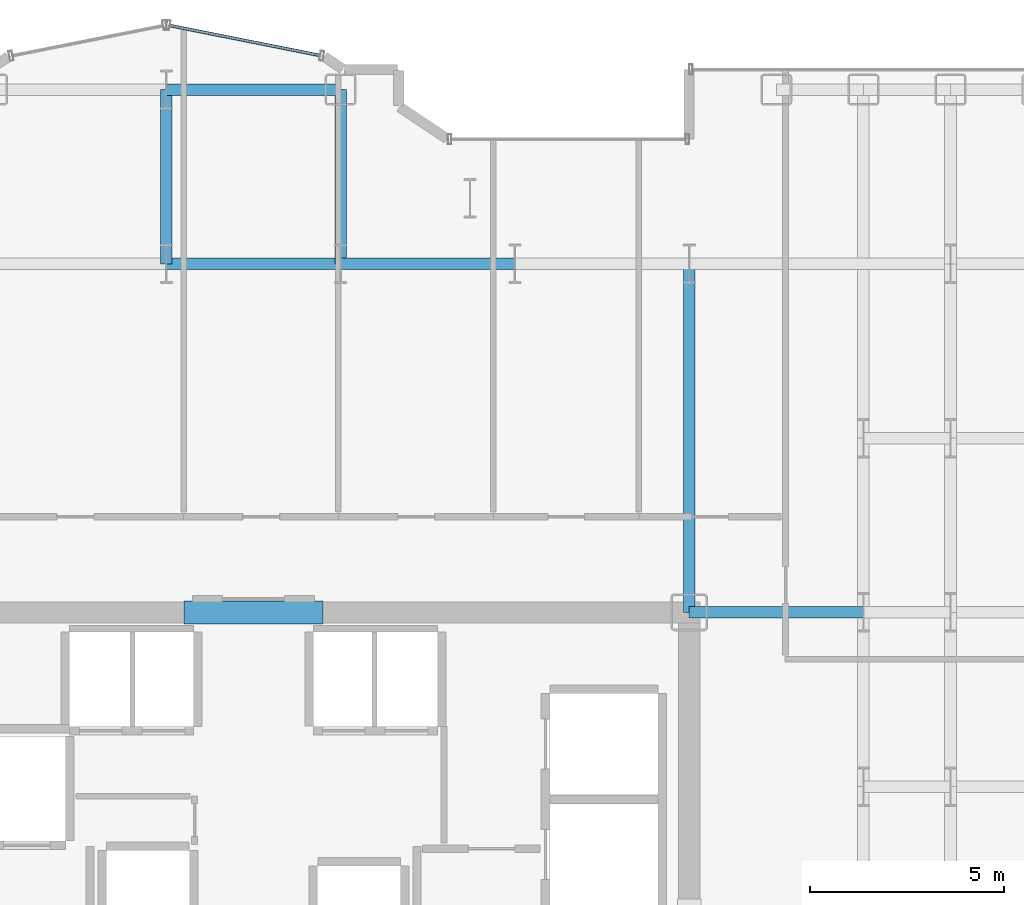
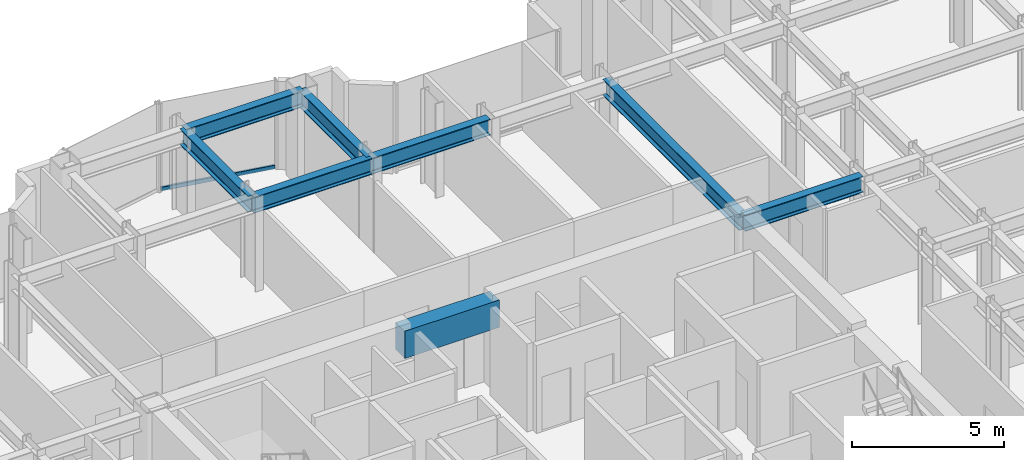
# One storey, part 11 of 26: 8 beams, 1 member, 1 element without a shape of its own.
"""IFC4 building model written with IfcOpenShell, lengths in metres."""

from ifc_helpers import new_model, si_unit, direction, frame, origin, origin_2d, place, context, subcontext, project, spatial, rectangle, hollow_rectangle, i_section, extrude, source, transform, mapped, material, layer, layer_set, material_profile, profile_set, type_object, element, aggregate, save


model = new_model("IFC4")

# Units and contexts
model_context = context("Model", 3, precision=1e-05, world=origin(), true_north=direction((0.0, 1.0)))
body_context = subcontext(model_context, "Body", "Model", "MODEL_VIEW")
ifc_project = project(units=[si_unit("LENGTHUNIT", "METRE"), si_unit("AREAUNIT", "SQUARE_METRE"), si_unit("VOLUMEUNIT", "CUBIC_METRE"), si_unit("PLANEANGLEUNIT", "RADIAN"), si_unit("MASSUNIT", "GRAM", prefix="KILO")], contexts=[model_context])

# Site, building, storey
site_placement = place(None, origin())
site = spatial("IfcSite", under=ifc_project, at=site_placement, CompositionType="ELEMENT")
building_placement = place(site_placement, origin())
building = spatial("IfcBuilding", under=site, at=building_placement, Name="Nefas-Gora Pilgrimage Tower", CompositionType="ELEMENT")
storey_placement = place(building_placement, frame((0.0, 0.0, 117.39990234375)))
storey = spatial("IfcBuildingStorey", under=building, at=storey_placement, Name="L28", CompositionType="ELEMENT", Elevation=117.39990234375)

# Beams
ifc_material_1 = material(Name="Concrete C60/75", Category="concrete")
ifc_material_profile_1 = material_profile(ifc_material_1, rectangle(XDim=0.60009765625, YDim=1.10009765625, at=origin_2d()), Name="RC 600x1100")
ifc_profile_set_1 = profile_set([ifc_material_profile_1], Name="Concrete C60/75")
beam_type_1 = type_object("IfcBeamType", Name="BM-LIN-RC1100", PredefinedType="LINTEL", material=ifc_profile_set_1)
shared_shape_1 = source(origin(), body_context, "Body", "SweptSolid", [
    extrude(rectangle(XDim=0.60009765625, YDim=1.10009765625, at=origin_2d()), origin(), (0.0, 0.0, 1.0), 3.60009765625),
])
beam_1_placement = place(storey_placement, frame((-1.800048828125, 9.0, 3.0), z_axis=(1.0, 0.0, 0.0), x_axis=(0.0, 1.0, 0.0)))
element("IfcBeam", 1, at=beam_1_placement, inside=storey, type_object=beam_type_1, Name="L28 Core Coupling Lintel Beam N", PredefinedType="LINTEL", context=body_context, shape_type="MappedRepresentation", body=[
    mapped(shared_shape_1, transform((0.0, 0.0, 0.0), x_axis=(1.0, 0.0, 0.0), y_axis=(0.0, 1.0, 0.0), z_axis=(0.0, 0.0, 1.0), scale=1.0)),
])
ifc_material_2 = material(Name="Steel S355", Category="steel")
ifc_material_profile_2 = material_profile(ifc_material_2, i_section(OverallWidth=0.300048828125, OverallDepth=0.64990234375, WebThickness=0.01611328125, FlangeThickness=0.031005859375, FilletRadius=0.027099609375, at=origin_2d()), Name="HEB 650")
ifc_profile_set_2 = profile_set([ifc_material_profile_2], Name="Steel S355")
beam_type_2 = type_object("IfcBeamType", Name="BM-GIR-HEB650", PredefinedType="BEAM", material=ifc_profile_set_2)
shared_shape_2 = source(origin(), body_context, "Body", "SweptSolid", [
    extrude(i_section(OverallWidth=0.300048828125, OverallDepth=0.64990234375, WebThickness=0.01611328125, FlangeThickness=0.031005859375, FilletRadius=0.027099609375, at=origin_2d()), origin(), (0.0, 0.0, 1.0), 9.0),
])
beam_2_placement = place(storey_placement, frame((11.25, 9.0, 3.22509765625), z_axis=(0.0, 1.0, 0.0), x_axis=(-1.0, 0.0, 0.0)))
element("IfcBeam", 2, at=beam_2_placement, inside=storey, type_object=beam_type_2, Name="L28 G-03 beam", PredefinedType="BEAM", context=body_context, shape_type="MappedRepresentation", body=[
    mapped(shared_shape_2, transform((0.0, 0.0, 0.0), x_axis=(1.0, 0.0, 0.0), y_axis=(0.0, 1.0, 0.0), z_axis=(0.0, 0.0, 1.0), scale=1.0)),
])
shared_shape_3 = source(origin(), body_context, "Body", "SweptSolid", [
    extrude(i_section(OverallWidth=0.300048828125, OverallDepth=0.64990234375, WebThickness=0.01611328125, FlangeThickness=0.031005859375, FilletRadius=0.027099609375, at=origin_2d()), origin(), (0.0, 0.0, 1.0), 4.5),
])
for number, where, z_axis, x_axis, name in (
    (3, (-2.25, 18.0, 3.22509765625), (0.0, 1.0, 0.0), (-1.0, 0.0, 0.0), "L28 G-03 beam"),
    (4, (-2.25, 18.0, 3.22509765625), (1.0, 0.0, 0.0), (0.0, 1.0, 0.0), "L28 G-03 beam"),
    (5, (-2.25, 22.5, 3.22509765625), (1.0, 0.0, 0.0), (0.0, 1.0, 0.0), "L28 G-03 beam"),
    (6, (2.25, 18.0, 3.22509765625), (0.0, 1.0, 0.0), (-1.0, 0.0, 0.0), "L28 G-03 beam"),
    (7, (2.25, 18.0, 3.22509765625), (1.0, 0.0, 0.0), (0.0, 1.0, 0.0), "L28 G-03 beam"),
    (8, (11.25, 9.0, 3.22509765625), (1.0, 0.0, 0.0), (0.0, 1.0, 0.0), "L28 G-03 beam"),
):
    element("IfcBeam", number, at=place(storey_placement, frame(where, z_axis=z_axis, x_axis=x_axis)), inside=storey, type_object=beam_type_2, Name=name, PredefinedType="BEAM", context=body_context, shape_type="MappedRepresentation", body=[
        mapped(shared_shape_3, transform((0.0, 0.0, 0.0), x_axis=(1.0, 0.0, 0.0), y_axis=(0.0, 1.0, 0.0), z_axis=(0.0, 0.0, 1.0), scale=1.0)),
    ])

# Curtain wall, member
ifc_material_3 = material(Name="Dark ceramic-fritted solar-control aluminium-glass curtain wall", Category="aluminium")
ifc_layer = layer(ifc_material_3, 0.219970703125)
ifc_layer_set = layer_set([ifc_layer], Name="Dark ceramic-fritted solar-control aluminium-glass curtain wall")
curtain_wall_type = type_object("IfcCurtainWallType", Name="CW-SYS-5", PredefinedType="NOTDEFINED", material=ifc_layer_set)
curtain_wall_placement = place(storey_placement, origin())
curtain_wall = element("IfcCurtainWall", 9, at=curtain_wall_placement, inside=storey, type_object=curtain_wall_type, Name="L28 Unitised Curtain Wall CW5", PredefinedType="NOTDEFINED")
ifc_material_4 = material(Name="Anodised architectural aluminium", Category="aluminium")
ifc_material_profile_3 = material_profile(ifc_material_4, hollow_rectangle(XDim=0.080078125, YDim=0.159912109375, WallThickness=0.00439453125, InnerFilletRadius=0.00439453125, OuterFilletRadius=0.009033203125, at=origin_2d()), Name="ALU TRANSOM 80x160")
ifc_profile_set_3 = profile_set([ifc_material_profile_3], Name="Anodised architectural aluminium")
member_type = type_object("IfcMemberType", Name="CWM-TRN-5", PredefinedType="USERDEFINED", material=ifc_profile_set_3)
shared_shape_4 = source(origin(), body_context, "Body", "SweptSolid", [
    extrude(hollow_rectangle(XDim=0.080078125, YDim=0.159912109375, WallThickness=0.00439453125, InnerFilletRadius=0.00439453125, OuterFilletRadius=0.009033203125, at=origin_2d()), origin(), (0.0, 0.0, 1.0), 3.95654296875),
])
member_placement = place(storey_placement, frame((1.718994140625, 23.3828125, 0.050048828125), z_axis=(-0.980781880918, 0.195107411605, 0.0), x_axis=(-0.195107411605, -0.980781880918, 0.0)))
member = element("IfcMember", 10, at=member_placement, type_object=member_type, Name="CW5 Spandrel Transom", ObjectType="TRANSOM", PredefinedType="USERDEFINED", context=body_context, shape_type="MappedRepresentation", body=[
    mapped(shared_shape_4, transform((0.0, 0.0, 0.0), x_axis=(1.0, 0.0, 0.0), y_axis=(0.0, 1.0, 0.0), z_axis=(0.0, 0.0, 1.0), scale=1.0)),
])
aggregate(curtain_wall, [member])

save(model, "model.ifc")
